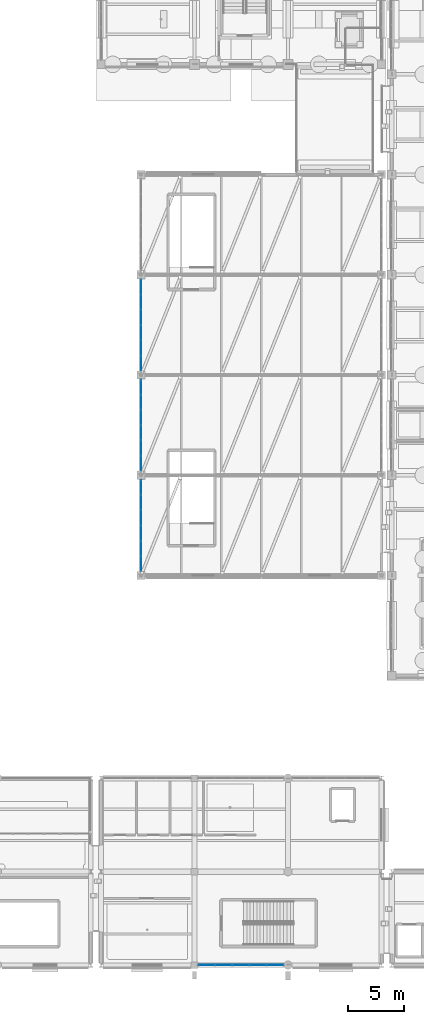
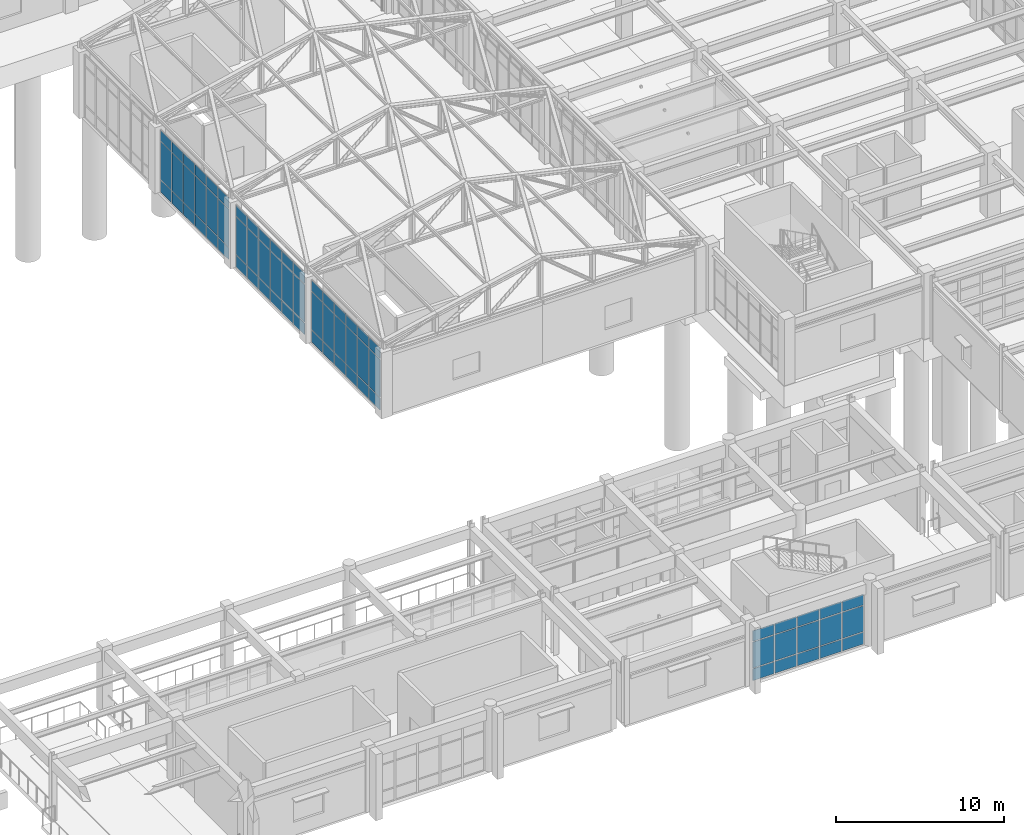
# One storey, part 91 of 139: 69 plates, 4 elements without a shape of their own.
"""IFC4 building model written with IfcOpenShell, lengths in metres."""

from ifc_helpers import new_model, si_unit, direction, frame, origin, origin_2d, place, context, subcontext, project, spatial, rectangle, extrude, material, layer, layer_set, type_object, element, aggregate, save


model = new_model("IFC4")

# Units and contexts
model_context = context("Model", 3, precision=1e-05, world=origin(), true_north=direction((0.0, 1.0)))
body_context = subcontext(model_context, "Body", "Model", "MODEL_VIEW")
ifc_project = project(units=[si_unit("LENGTHUNIT", "METRE"), si_unit("AREAUNIT", "SQUARE_METRE"), si_unit("VOLUMEUNIT", "CUBIC_METRE"), si_unit("PLANEANGLEUNIT", "RADIAN"), si_unit("MASSUNIT", "GRAM", prefix="KILO")], contexts=[model_context])

# Site, building, storey
site_placement = place(None, origin())
site = spatial("IfcSite", under=ifc_project, at=site_placement, CompositionType="ELEMENT")
building_placement = place(site_placement, origin())
building = spatial("IfcBuilding", under=site, at=building_placement, Name="Canglan Escarpment Cableway Terminal", CompositionType="ELEMENT")
storey_placement = place(building_placement, frame((0.0, 0.0, 14.39990234375)))
storey = spatial("IfcBuildingStorey", under=building, at=storey_placement, Name="L03", CompositionType="ELEMENT", Elevation=14.39990234375)

# Curtain wall, plates
ifc_material_1 = material(Name="Anodized bronze aluminium and Low-E double glazing", Category="aluminium")
curtain_wall_type_1 = type_object("IfcCurtainWallType", Name="CW-BAY-8250x4600", PredefinedType="NOTDEFINED", material=ifc_material_1)
curtain_wall_1_placement = place(storey_placement, origin())
curtain_wall_1 = element("IfcCurtainWall", 1, at=curtain_wall_1_placement, inside=storey, type_object=curtain_wall_type_1, Name="Classical bay-between-piers glazed curtain wall CW-46", PredefinedType="NOTDEFINED")
ifc_material_2 = material(Name="Double-silver Low-E laminated insulating glass", Category="glass")
ifc_layer_1 = layer(ifc_material_2, 0.02392578125, Name="Double-silver Low-E laminated insulating glass")
ifc_layer_set_1 = layer_set([ifc_layer_1], Name="Double-silver Low-E laminated insulating glass")
plate_type_1 = type_object("IfcPlateType", Name="CWP-01", PredefinedType="CURTAIN_PANEL", material=ifc_layer_set_1)
plate_1_placement = place(storey_placement, frame((115.10009765625, 68.922607421875, 0.05517578125), z_axis=(0.0, 0.0, 1.0), x_axis=(0.0, -1.0, 0.0)))
plate_1 = element("IfcPlate", 2, at=plate_1_placement, type_object=plate_type_1, Name="CW-46 panel 1.1", PredefinedType="CURTAIN_PANEL", context=body_context, shape_type="SweptSolid", body=[
    extrude(rectangle(XDim=1.284912109375, YDim=0.02392578125, at=origin_2d()), origin(), (0.0, 0.0, 1.0), 0.867431640625),
])
plate_2_placement = place(storey_placement, frame((115.10009765625, 68.922607421875, 0.9775390625), z_axis=(0.0, 0.0, 1.0), x_axis=(0.0, -1.0, 0.0)))
plate_2 = element("IfcPlate", 3, at=plate_2_placement, type_object=plate_type_1, Name="CW-46 panel 1.2", PredefinedType="CURTAIN_PANEL", context=body_context, shape_type="SweptSolid", body=[
    extrude(rectangle(XDim=1.284912109375, YDim=0.02392578125, at=origin_2d()), origin(), (0.0, 0.0, 1.0), 2.7451171875),
])
plate_3_placement = place(storey_placement, frame((115.10009765625, 68.922607421875, 3.777587890625), z_axis=(0.0, 0.0, 1.0), x_axis=(0.0, -1.0, 0.0)))
plate_3 = element("IfcPlate", 4, at=plate_3_placement, type_object=plate_type_1, Name="CW-46 panel 1.3", PredefinedType="CURTAIN_PANEL", context=body_context, shape_type="SweptSolid", body=[
    extrude(rectangle(XDim=1.284912109375, YDim=0.02392578125, at=origin_2d()), origin(), (0.0, 0.0, 1.0), 0.767578125),
])
plate_4_placement = place(storey_placement, frame((115.10009765625, 67.5625, 0.05517578125), z_axis=(0.0, 0.0, 1.0), x_axis=(0.0, -1.0, 0.0)))
plate_4 = element("IfcPlate", 5, at=plate_4_placement, type_object=plate_type_1, Name="CW-46 panel 2.1", PredefinedType="CURTAIN_PANEL", context=body_context, shape_type="SweptSolid", body=[
    extrude(rectangle(XDim=1.31494140625, YDim=0.02392578125, at=origin_2d()), origin(), (0.0, 0.0, 1.0), 0.867431640625),
])
plate_5_placement = place(storey_placement, frame((115.10009765625, 67.5625, 0.9775390625), z_axis=(0.0, 0.0, 1.0), x_axis=(0.0, -1.0, 0.0)))
plate_5 = element("IfcPlate", 6, at=plate_5_placement, type_object=plate_type_1, Name="CW-46 panel 2.2", PredefinedType="CURTAIN_PANEL", context=body_context, shape_type="SweptSolid", body=[
    extrude(rectangle(XDim=1.31494140625, YDim=0.02392578125, at=origin_2d()), origin(), (0.0, 0.0, 1.0), 2.7451171875),
])
plate_6_placement = place(storey_placement, frame((115.10009765625, 67.5625, 3.777587890625), z_axis=(0.0, 0.0, 1.0), x_axis=(0.0, -1.0, 0.0)))
plate_6 = element("IfcPlate", 7, at=plate_6_placement, type_object=plate_type_1, Name="CW-46 panel 2.3", PredefinedType="CURTAIN_PANEL", context=body_context, shape_type="SweptSolid", body=[
    extrude(rectangle(XDim=1.31494140625, YDim=0.02392578125, at=origin_2d()), origin(), (0.0, 0.0, 1.0), 0.767578125),
])
plate_7_placement = place(storey_placement, frame((115.10009765625, 66.1875, 0.05517578125), z_axis=(0.0, 0.0, 1.0), x_axis=(0.0, -1.0, 0.0)))
plate_7 = element("IfcPlate", 8, at=plate_7_placement, type_object=plate_type_1, Name="CW-46 panel 3.1", PredefinedType="CURTAIN_PANEL", context=body_context, shape_type="SweptSolid", body=[
    extrude(rectangle(XDim=1.31494140625, YDim=0.02392578125, at=origin_2d()), origin(), (0.0, 0.0, 1.0), 0.867431640625),
])
plate_8_placement = place(storey_placement, frame((115.10009765625, 66.1875, 0.9775390625), z_axis=(0.0, 0.0, 1.0), x_axis=(0.0, -1.0, 0.0)))
plate_8 = element("IfcPlate", 9, at=plate_8_placement, type_object=plate_type_1, Name="CW-46 panel 3.2", PredefinedType="CURTAIN_PANEL", context=body_context, shape_type="SweptSolid", body=[
    extrude(rectangle(XDim=1.31494140625, YDim=0.02392578125, at=origin_2d()), origin(), (0.0, 0.0, 1.0), 2.7451171875),
])
plate_9_placement = place(storey_placement, frame((115.10009765625, 66.1875, 3.777587890625), z_axis=(0.0, 0.0, 1.0), x_axis=(0.0, -1.0, 0.0)))
plate_9 = element("IfcPlate", 10, at=plate_9_placement, type_object=plate_type_1, Name="CW-46 panel 3.3", PredefinedType="CURTAIN_PANEL", context=body_context, shape_type="SweptSolid", body=[
    extrude(rectangle(XDim=1.31494140625, YDim=0.02392578125, at=origin_2d()), origin(), (0.0, 0.0, 1.0), 0.767578125),
])
plate_10_placement = place(storey_placement, frame((115.10009765625, 64.8125, 0.05517578125), z_axis=(0.0, 0.0, 1.0), x_axis=(0.0, -1.0, 0.0)))
plate_10 = element("IfcPlate", 11, at=plate_10_placement, type_object=plate_type_1, Name="CW-46 panel 4.1", PredefinedType="CURTAIN_PANEL", context=body_context, shape_type="SweptSolid", body=[
    extrude(rectangle(XDim=1.31494140625, YDim=0.02392578125, at=origin_2d()), origin(), (0.0, 0.0, 1.0), 0.867431640625),
])
plate_11_placement = place(storey_placement, frame((115.10009765625, 64.8125, 0.9775390625), z_axis=(0.0, 0.0, 1.0), x_axis=(0.0, -1.0, 0.0)))
plate_11 = element("IfcPlate", 12, at=plate_11_placement, type_object=plate_type_1, Name="CW-46 panel 4.2", PredefinedType="CURTAIN_PANEL", context=body_context, shape_type="SweptSolid", body=[
    extrude(rectangle(XDim=1.31494140625, YDim=0.02392578125, at=origin_2d()), origin(), (0.0, 0.0, 1.0), 2.7451171875),
])
plate_12_placement = place(storey_placement, frame((115.10009765625, 64.8125, 3.777587890625), z_axis=(0.0, 0.0, 1.0), x_axis=(0.0, -1.0, 0.0)))
plate_12 = element("IfcPlate", 13, at=plate_12_placement, type_object=plate_type_1, Name="CW-46 panel 4.3", PredefinedType="CURTAIN_PANEL", context=body_context, shape_type="SweptSolid", body=[
    extrude(rectangle(XDim=1.31494140625, YDim=0.02392578125, at=origin_2d()), origin(), (0.0, 0.0, 1.0), 0.767578125),
])
plate_13_placement = place(storey_placement, frame((115.10009765625, 63.4375, 0.05517578125), z_axis=(0.0, 0.0, 1.0), x_axis=(0.0, -1.0, 0.0)))
plate_13 = element("IfcPlate", 14, at=plate_13_placement, type_object=plate_type_1, Name="CW-46 panel 5.1", PredefinedType="CURTAIN_PANEL", context=body_context, shape_type="SweptSolid", body=[
    extrude(rectangle(XDim=1.31494140625, YDim=0.02392578125, at=origin_2d()), origin(), (0.0, 0.0, 1.0), 0.867431640625),
])
plate_14_placement = place(storey_placement, frame((115.10009765625, 63.4375, 0.9775390625), z_axis=(0.0, 0.0, 1.0), x_axis=(0.0, -1.0, 0.0)))
plate_14 = element("IfcPlate", 15, at=plate_14_placement, type_object=plate_type_1, Name="CW-46 panel 5.2", PredefinedType="CURTAIN_PANEL", context=body_context, shape_type="SweptSolid", body=[
    extrude(rectangle(XDim=1.31494140625, YDim=0.02392578125, at=origin_2d()), origin(), (0.0, 0.0, 1.0), 2.7451171875),
])
plate_15_placement = place(storey_placement, frame((115.10009765625, 63.4375, 3.777587890625), z_axis=(0.0, 0.0, 1.0), x_axis=(0.0, -1.0, 0.0)))
plate_15 = element("IfcPlate", 16, at=plate_15_placement, type_object=plate_type_1, Name="CW-46 panel 5.3", PredefinedType="CURTAIN_PANEL", context=body_context, shape_type="SweptSolid", body=[
    extrude(rectangle(XDim=1.31494140625, YDim=0.02392578125, at=origin_2d()), origin(), (0.0, 0.0, 1.0), 0.767578125),
])
plate_16_placement = place(storey_placement, frame((115.10009765625, 62.077392578125, 0.05517578125), z_axis=(0.0, 0.0, 1.0), x_axis=(0.0, -1.0, 0.0)))
plate_16 = element("IfcPlate", 17, at=plate_16_placement, type_object=plate_type_1, Name="CW-46 panel 6.1", PredefinedType="CURTAIN_PANEL", context=body_context, shape_type="SweptSolid", body=[
    extrude(rectangle(XDim=1.284912109375, YDim=0.02392578125, at=origin_2d()), origin(), (0.0, 0.0, 1.0), 0.867431640625),
])
plate_17_placement = place(storey_placement, frame((115.10009765625, 62.077392578125, 0.9775390625), z_axis=(0.0, 0.0, 1.0), x_axis=(0.0, -1.0, 0.0)))
plate_17 = element("IfcPlate", 18, at=plate_17_placement, type_object=plate_type_1, Name="CW-46 panel 6.2", PredefinedType="CURTAIN_PANEL", context=body_context, shape_type="SweptSolid", body=[
    extrude(rectangle(XDim=1.284912109375, YDim=0.02392578125, at=origin_2d()), origin(), (0.0, 0.0, 1.0), 2.7451171875),
])
plate_18_placement = place(storey_placement, frame((115.10009765625, 62.077392578125, 3.777587890625), z_axis=(0.0, 0.0, 1.0), x_axis=(0.0, -1.0, 0.0)))
plate_18 = element("IfcPlate", 19, at=plate_18_placement, type_object=plate_type_1, Name="CW-46 panel 6.3", PredefinedType="CURTAIN_PANEL", context=body_context, shape_type="SweptSolid", body=[
    extrude(rectangle(XDim=1.284912109375, YDim=0.02392578125, at=origin_2d()), origin(), (0.0, 0.0, 1.0), 0.767578125),
])
aggregate(curtain_wall_1, [plate_1, plate_2, plate_3, plate_4, plate_5, plate_6, plate_7, plate_8, plate_9, plate_10, plate_11, plate_12, plate_13, plate_14, plate_15, plate_16, plate_17, plate_18])

curtain_wall_2_placement = place(storey_placement, origin())
curtain_wall_2 = element("IfcCurtainWall", 20, at=curtain_wall_2_placement, inside=storey, type_object=curtain_wall_type_1, Name="Classical bay-between-piers glazed curtain wall CW-46", PredefinedType="NOTDEFINED")
ifc_layer_2 = layer(ifc_material_2, 0.031982421875, Name="Double-silver Low-E laminated insulating glass")
ifc_layer_set_2 = layer_set([ifc_layer_2], Name="Double-silver Low-E laminated insulating glass")
plate_type_2 = type_object("IfcPlateType", Name="CWP-03", PredefinedType="CURTAIN_PANEL", material=ifc_layer_set_2)
plate_19_placement = place(storey_placement, frame((115.10009765625, 50.921142578125, 0.06005859375), z_axis=(0.0, 0.0, 1.0), x_axis=(0.0, -1.0, 0.0)))
plate_19 = element("IfcPlate", 21, at=plate_19_placement, type_object=plate_type_2, Name="CW-46 panel 1.1", PredefinedType="CURTAIN_PANEL", context=body_context, shape_type="SweptSolid", body=[
    extrude(rectangle(XDim=1.277587890625, YDim=0.031982421875, at=origin_2d()), origin(), (0.0, 0.0, 1.0), 0.860107421875),
])
plate_20_placement = place(storey_placement, frame((115.10009765625, 50.921142578125, 0.97998046875), z_axis=(0.0, 0.0, 1.0), x_axis=(0.0, -1.0, 0.0)))
plate_20 = element("IfcPlate", 22, at=plate_20_placement, type_object=plate_type_2, Name="CW-46 panel 1.2", PredefinedType="CURTAIN_PANEL", context=body_context, shape_type="SweptSolid", body=[
    extrude(rectangle(XDim=1.277587890625, YDim=0.031982421875, at=origin_2d()), origin(), (0.0, 0.0, 1.0), 2.739990234375),
])
plate_21_placement = place(storey_placement, frame((115.10009765625, 50.921142578125, 3.7802734375), z_axis=(0.0, 0.0, 1.0), x_axis=(0.0, -1.0, 0.0)))
plate_21 = element("IfcPlate", 23, at=plate_21_placement, type_object=plate_type_2, Name="CW-46 panel 1.3", PredefinedType="CURTAIN_PANEL", context=body_context, shape_type="SweptSolid", body=[
    extrude(rectangle(XDim=1.277587890625, YDim=0.031982421875, at=origin_2d()), origin(), (0.0, 0.0, 1.0), 0.760009765625),
])
plate_22_placement = place(storey_placement, frame((115.10009765625, 49.5625, 0.06005859375), z_axis=(0.0, 0.0, 1.0), x_axis=(0.0, -1.0, 0.0)))
plate_22 = element("IfcPlate", 24, at=plate_22_placement, type_object=plate_type_2, Name="CW-46 panel 2.1", PredefinedType="CURTAIN_PANEL", context=body_context, shape_type="SweptSolid", body=[
    extrude(rectangle(XDim=1.31005859375, YDim=0.031982421875, at=origin_2d()), origin(), (0.0, 0.0, 1.0), 0.860107421875),
])
plate_23_placement = place(storey_placement, frame((115.10009765625, 49.5625, 0.97998046875), z_axis=(0.0, 0.0, 1.0), x_axis=(0.0, -1.0, 0.0)))
plate_23 = element("IfcPlate", 25, at=plate_23_placement, type_object=plate_type_2, Name="CW-46 panel 2.2", PredefinedType="CURTAIN_PANEL", context=body_context, shape_type="SweptSolid", body=[
    extrude(rectangle(XDim=1.31005859375, YDim=0.031982421875, at=origin_2d()), origin(), (0.0, 0.0, 1.0), 2.739990234375),
])
plate_24_placement = place(storey_placement, frame((115.10009765625, 49.5625, 3.7802734375), z_axis=(0.0, 0.0, 1.0), x_axis=(0.0, -1.0, 0.0)))
plate_24 = element("IfcPlate", 26, at=plate_24_placement, type_object=plate_type_2, Name="CW-46 panel 2.3", PredefinedType="CURTAIN_PANEL", context=body_context, shape_type="SweptSolid", body=[
    extrude(rectangle(XDim=1.31005859375, YDim=0.031982421875, at=origin_2d()), origin(), (0.0, 0.0, 1.0), 0.760009765625),
])
plate_25_placement = place(storey_placement, frame((115.10009765625, 48.1875, 0.06005859375), z_axis=(0.0, 0.0, 1.0), x_axis=(0.0, -1.0, 0.0)))
plate_25 = element("IfcPlate", 27, at=plate_25_placement, type_object=plate_type_2, Name="CW-46 panel 3.1", PredefinedType="CURTAIN_PANEL", context=body_context, shape_type="SweptSolid", body=[
    extrude(rectangle(XDim=1.31005859375, YDim=0.031982421875, at=origin_2d()), origin(), (0.0, 0.0, 1.0), 0.860107421875),
])
plate_26_placement = place(storey_placement, frame((115.10009765625, 48.1875, 0.97998046875), z_axis=(0.0, 0.0, 1.0), x_axis=(0.0, -1.0, 0.0)))
plate_26 = element("IfcPlate", 28, at=plate_26_placement, type_object=plate_type_2, Name="CW-46 panel 3.2", PredefinedType="CURTAIN_PANEL", context=body_context, shape_type="SweptSolid", body=[
    extrude(rectangle(XDim=1.31005859375, YDim=0.031982421875, at=origin_2d()), origin(), (0.0, 0.0, 1.0), 2.739990234375),
])
plate_27_placement = place(storey_placement, frame((115.10009765625, 48.1875, 3.7802734375), z_axis=(0.0, 0.0, 1.0), x_axis=(0.0, -1.0, 0.0)))
plate_27 = element("IfcPlate", 29, at=plate_27_placement, type_object=plate_type_2, Name="CW-46 panel 3.3", PredefinedType="CURTAIN_PANEL", context=body_context, shape_type="SweptSolid", body=[
    extrude(rectangle(XDim=1.31005859375, YDim=0.031982421875, at=origin_2d()), origin(), (0.0, 0.0, 1.0), 0.760009765625),
])
plate_28_placement = place(storey_placement, frame((115.10009765625, 46.8125, 0.06005859375), z_axis=(0.0, 0.0, 1.0), x_axis=(0.0, -1.0, 0.0)))
plate_28 = element("IfcPlate", 30, at=plate_28_placement, type_object=plate_type_2, Name="CW-46 panel 4.1", PredefinedType="CURTAIN_PANEL", context=body_context, shape_type="SweptSolid", body=[
    extrude(rectangle(XDim=1.31005859375, YDim=0.031982421875, at=origin_2d()), origin(), (0.0, 0.0, 1.0), 0.860107421875),
])
plate_29_placement = place(storey_placement, frame((115.10009765625, 46.8125, 0.97998046875), z_axis=(0.0, 0.0, 1.0), x_axis=(0.0, -1.0, 0.0)))
plate_29 = element("IfcPlate", 31, at=plate_29_placement, type_object=plate_type_2, Name="CW-46 panel 4.2", PredefinedType="CURTAIN_PANEL", context=body_context, shape_type="SweptSolid", body=[
    extrude(rectangle(XDim=1.31005859375, YDim=0.031982421875, at=origin_2d()), origin(), (0.0, 0.0, 1.0), 2.739990234375),
])
plate_30_placement = place(storey_placement, frame((115.10009765625, 46.8125, 3.7802734375), z_axis=(0.0, 0.0, 1.0), x_axis=(0.0, -1.0, 0.0)))
plate_30 = element("IfcPlate", 32, at=plate_30_placement, type_object=plate_type_2, Name="CW-46 panel 4.3", PredefinedType="CURTAIN_PANEL", context=body_context, shape_type="SweptSolid", body=[
    extrude(rectangle(XDim=1.31005859375, YDim=0.031982421875, at=origin_2d()), origin(), (0.0, 0.0, 1.0), 0.760009765625),
])
plate_31_placement = place(storey_placement, frame((115.10009765625, 45.4375, 0.06005859375), z_axis=(0.0, 0.0, 1.0), x_axis=(0.0, -1.0, 0.0)))
plate_31 = element("IfcPlate", 33, at=plate_31_placement, type_object=plate_type_2, Name="CW-46 panel 5.1", PredefinedType="CURTAIN_PANEL", context=body_context, shape_type="SweptSolid", body=[
    extrude(rectangle(XDim=1.31005859375, YDim=0.031982421875, at=origin_2d()), origin(), (0.0, 0.0, 1.0), 0.860107421875),
])
plate_32_placement = place(storey_placement, frame((115.10009765625, 45.4375, 0.97998046875), z_axis=(0.0, 0.0, 1.0), x_axis=(0.0, -1.0, 0.0)))
plate_32 = element("IfcPlate", 34, at=plate_32_placement, type_object=plate_type_2, Name="CW-46 panel 5.2", PredefinedType="CURTAIN_PANEL", context=body_context, shape_type="SweptSolid", body=[
    extrude(rectangle(XDim=1.31005859375, YDim=0.031982421875, at=origin_2d()), origin(), (0.0, 0.0, 1.0), 2.739990234375),
])
plate_33_placement = place(storey_placement, frame((115.10009765625, 45.4375, 3.7802734375), z_axis=(0.0, 0.0, 1.0), x_axis=(0.0, -1.0, 0.0)))
plate_33 = element("IfcPlate", 35, at=plate_33_placement, type_object=plate_type_2, Name="CW-46 panel 5.3", PredefinedType="CURTAIN_PANEL", context=body_context, shape_type="SweptSolid", body=[
    extrude(rectangle(XDim=1.31005859375, YDim=0.031982421875, at=origin_2d()), origin(), (0.0, 0.0, 1.0), 0.760009765625),
])
plate_34_placement = place(storey_placement, frame((115.10009765625, 44.078857421875, 0.06005859375), z_axis=(0.0, 0.0, 1.0), x_axis=(0.0, -1.0, 0.0)))
plate_34 = element("IfcPlate", 36, at=plate_34_placement, type_object=plate_type_2, Name="CW-46 panel 6.1", PredefinedType="CURTAIN_PANEL", context=body_context, shape_type="SweptSolid", body=[
    extrude(rectangle(XDim=1.277587890625, YDim=0.031982421875, at=origin_2d()), origin(), (0.0, 0.0, 1.0), 0.860107421875),
])
plate_35_placement = place(storey_placement, frame((115.10009765625, 44.078857421875, 0.97998046875), z_axis=(0.0, 0.0, 1.0), x_axis=(0.0, -1.0, 0.0)))
plate_35 = element("IfcPlate", 37, at=plate_35_placement, type_object=plate_type_2, Name="CW-46 panel 6.2", PredefinedType="CURTAIN_PANEL", context=body_context, shape_type="SweptSolid", body=[
    extrude(rectangle(XDim=1.277587890625, YDim=0.031982421875, at=origin_2d()), origin(), (0.0, 0.0, 1.0), 2.739990234375),
])
plate_36_placement = place(storey_placement, frame((115.10009765625, 44.078857421875, 3.7802734375), z_axis=(0.0, 0.0, 1.0), x_axis=(0.0, -1.0, 0.0)))
plate_36 = element("IfcPlate", 38, at=plate_36_placement, type_object=plate_type_2, Name="CW-46 panel 6.3", PredefinedType="CURTAIN_PANEL", context=body_context, shape_type="SweptSolid", body=[
    extrude(rectangle(XDim=1.277587890625, YDim=0.031982421875, at=origin_2d()), origin(), (0.0, 0.0, 1.0), 0.760009765625),
])
aggregate(curtain_wall_2, [plate_19, plate_20, plate_21, plate_22, plate_23, plate_24, plate_25, plate_26, plate_27, plate_28, plate_29, plate_30, plate_31, plate_32, plate_33, plate_34, plate_35, plate_36])

curtain_wall_type_2 = type_object("IfcCurtainWallType", Name="CW-BAY-7725x3725", PredefinedType="NOTDEFINED", material=ifc_material_1)
curtain_wall_3_placement = place(storey_placement, origin())
curtain_wall_3 = element("IfcCurtainWall", 39, at=curtain_wall_3_placement, inside=storey, type_object=curtain_wall_type_2, Name="Classical bay-between-piers glazed curtain wall CW-13", PredefinedType="NOTDEFINED")
ifc_layer_3 = layer(ifc_material_2, 0.035888671875, Name="Double-silver Low-E laminated insulating glass")
ifc_layer_set_3 = layer_set([ifc_layer_3], Name="Double-silver Low-E laminated insulating glass")
plate_type_3 = type_object("IfcPlateType", Name="CWP-04", PredefinedType="CURTAIN_PANEL", material=ifc_layer_set_3)
plate_37_placement = place(storey_placement, frame((120.98876953125, 8.0, 0.06005859375), z_axis=(0.0, 0.0, 1.0), x_axis=(1.0, 0.0, 0.0)))
plate_37 = element("IfcPlate", 40, at=plate_37_placement, type_object=plate_type_3, Name="CW-13 panel 1.1", PredefinedType="CURTAIN_PANEL", context=body_context, shape_type="SweptSolid", body=[
    extrude(rectangle(XDim=1.447509765625, YDim=0.035888671875, at=origin_2d()), origin(), (0.0, 0.0, 1.0), 0.860107421875),
])
plate_38_placement = place(storey_placement, frame((120.98876953125, 8.0, 0.97998046875), z_axis=(0.0, 0.0, 1.0), x_axis=(1.0, 0.0, 0.0)))
plate_38 = element("IfcPlate", 41, at=plate_38_placement, type_object=plate_type_3, Name="CW-13 panel 1.2", PredefinedType="CURTAIN_PANEL", context=body_context, shape_type="SweptSolid", body=[
    extrude(rectangle(XDim=1.447509765625, YDim=0.035888671875, at=origin_2d()), origin(), (0.0, 0.0, 1.0), 1.875),
])
plate_39_placement = place(storey_placement, frame((120.98876953125, 8.0, 2.9150390625), z_axis=(0.0, 0.0, 1.0), x_axis=(1.0, 0.0, 0.0)))
plate_39 = element("IfcPlate", 42, at=plate_39_placement, type_object=plate_type_3, Name="CW-13 panel 1.3", PredefinedType="CURTAIN_PANEL", context=body_context, shape_type="SweptSolid", body=[
    extrude(rectangle(XDim=1.447509765625, YDim=0.035888671875, at=origin_2d()), origin(), (0.0, 0.0, 1.0), 0.760009765625),
])
plate_40_placement = place(storey_placement, frame((122.517578125, 8.0, 0.06005859375), z_axis=(0.0, 0.0, 1.0), x_axis=(1.0, 0.0, 0.0)))
plate_40 = element("IfcPlate", 43, at=plate_40_placement, type_object=plate_type_3, Name="CW-13 panel 2.1", PredefinedType="CURTAIN_PANEL", context=body_context, shape_type="SweptSolid", body=[
    extrude(rectangle(XDim=1.47998046875, YDim=0.035888671875, at=origin_2d()), origin(), (0.0, 0.0, 1.0), 0.860107421875),
])
plate_41_placement = place(storey_placement, frame((122.517578125, 8.0, 0.97998046875), z_axis=(0.0, 0.0, 1.0), x_axis=(1.0, 0.0, 0.0)))
plate_41 = element("IfcPlate", 44, at=plate_41_placement, type_object=plate_type_3, Name="CW-13 panel 2.2", PredefinedType="CURTAIN_PANEL", context=body_context, shape_type="SweptSolid", body=[
    extrude(rectangle(XDim=1.47998046875, YDim=0.035888671875, at=origin_2d()), origin(), (0.0, 0.0, 1.0), 1.875),
])
plate_42_placement = place(storey_placement, frame((122.517578125, 8.0, 2.9150390625), z_axis=(0.0, 0.0, 1.0), x_axis=(1.0, 0.0, 0.0)))
plate_42 = element("IfcPlate", 45, at=plate_42_placement, type_object=plate_type_3, Name="CW-13 panel 2.3", PredefinedType="CURTAIN_PANEL", context=body_context, shape_type="SweptSolid", body=[
    extrude(rectangle(XDim=1.47998046875, YDim=0.035888671875, at=origin_2d()), origin(), (0.0, 0.0, 1.0), 0.760009765625),
])
plate_43_placement = place(storey_placement, frame((124.0625, 8.0, 0.06005859375), z_axis=(0.0, 0.0, 1.0), x_axis=(1.0, 0.0, 0.0)))
plate_43 = element("IfcPlate", 46, at=plate_43_placement, type_object=plate_type_3, Name="CW-13 panel 3.1", PredefinedType="CURTAIN_PANEL", context=body_context, shape_type="SweptSolid", body=[
    extrude(rectangle(XDim=1.47998046875, YDim=0.035888671875, at=origin_2d()), origin(), (0.0, 0.0, 1.0), 0.860107421875),
])
plate_44_placement = place(storey_placement, frame((124.0625, 8.0, 0.97998046875), z_axis=(0.0, 0.0, 1.0), x_axis=(1.0, 0.0, 0.0)))
plate_44 = element("IfcPlate", 47, at=plate_44_placement, type_object=plate_type_3, Name="CW-13 panel 3.2", PredefinedType="CURTAIN_PANEL", context=body_context, shape_type="SweptSolid", body=[
    extrude(rectangle(XDim=1.47998046875, YDim=0.035888671875, at=origin_2d()), origin(), (0.0, 0.0, 1.0), 1.875),
])
plate_45_placement = place(storey_placement, frame((124.0625, 8.0, 2.9150390625), z_axis=(0.0, 0.0, 1.0), x_axis=(1.0, 0.0, 0.0)))
plate_45 = element("IfcPlate", 48, at=plate_45_placement, type_object=plate_type_3, Name="CW-13 panel 3.3", PredefinedType="CURTAIN_PANEL", context=body_context, shape_type="SweptSolid", body=[
    extrude(rectangle(XDim=1.47998046875, YDim=0.035888671875, at=origin_2d()), origin(), (0.0, 0.0, 1.0), 0.760009765625),
])
plate_46_placement = place(storey_placement, frame((125.607421875, 8.0, 0.06005859375), z_axis=(0.0, 0.0, 1.0), x_axis=(1.0, 0.0, 0.0)))
plate_46 = element("IfcPlate", 49, at=plate_46_placement, type_object=plate_type_3, Name="CW-13 panel 4.1", PredefinedType="CURTAIN_PANEL", context=body_context, shape_type="SweptSolid", body=[
    extrude(rectangle(XDim=1.47998046875, YDim=0.035888671875, at=origin_2d()), origin(), (0.0, 0.0, 1.0), 0.860107421875),
])
plate_47_placement = place(storey_placement, frame((125.607421875, 8.0, 0.97998046875), z_axis=(0.0, 0.0, 1.0), x_axis=(1.0, 0.0, 0.0)))
plate_47 = element("IfcPlate", 50, at=plate_47_placement, type_object=plate_type_3, Name="CW-13 panel 4.2", PredefinedType="CURTAIN_PANEL", context=body_context, shape_type="SweptSolid", body=[
    extrude(rectangle(XDim=1.47998046875, YDim=0.035888671875, at=origin_2d()), origin(), (0.0, 0.0, 1.0), 1.875),
])
plate_48_placement = place(storey_placement, frame((125.607421875, 8.0, 2.9150390625), z_axis=(0.0, 0.0, 1.0), x_axis=(1.0, 0.0, 0.0)))
plate_48 = element("IfcPlate", 51, at=plate_48_placement, type_object=plate_type_3, Name="CW-13 panel 4.3", PredefinedType="CURTAIN_PANEL", context=body_context, shape_type="SweptSolid", body=[
    extrude(rectangle(XDim=1.47998046875, YDim=0.035888671875, at=origin_2d()), origin(), (0.0, 0.0, 1.0), 0.760009765625),
])
plate_49_placement = place(storey_placement, frame((127.13623046875, 8.0, 0.06005859375), z_axis=(0.0, 0.0, 1.0), x_axis=(1.0, 0.0, 0.0)))
plate_49 = element("IfcPlate", 52, at=plate_49_placement, type_object=plate_type_3, Name="CW-13 panel 5.1", PredefinedType="CURTAIN_PANEL", context=body_context, shape_type="SweptSolid", body=[
    extrude(rectangle(XDim=1.447509765625, YDim=0.035888671875, at=origin_2d()), origin(), (0.0, 0.0, 1.0), 0.860107421875),
])
plate_50_placement = place(storey_placement, frame((127.13623046875, 8.0, 0.97998046875), z_axis=(0.0, 0.0, 1.0), x_axis=(1.0, 0.0, 0.0)))
plate_50 = element("IfcPlate", 53, at=plate_50_placement, type_object=plate_type_3, Name="CW-13 panel 5.2", PredefinedType="CURTAIN_PANEL", context=body_context, shape_type="SweptSolid", body=[
    extrude(rectangle(XDim=1.447509765625, YDim=0.035888671875, at=origin_2d()), origin(), (0.0, 0.0, 1.0), 1.875),
])
plate_51_placement = place(storey_placement, frame((127.13623046875, 8.0, 2.9150390625), z_axis=(0.0, 0.0, 1.0), x_axis=(1.0, 0.0, 0.0)))
plate_51 = element("IfcPlate", 54, at=plate_51_placement, type_object=plate_type_3, Name="CW-13 panel 5.3", PredefinedType="CURTAIN_PANEL", context=body_context, shape_type="SweptSolid", body=[
    extrude(rectangle(XDim=1.447509765625, YDim=0.035888671875, at=origin_2d()), origin(), (0.0, 0.0, 1.0), 0.760009765625),
])
aggregate(curtain_wall_3, [plate_37, plate_38, plate_39, plate_40, plate_41, plate_42, plate_43, plate_44, plate_45, plate_46, plate_47, plate_48, plate_49, plate_50, plate_51])

curtain_wall_4_placement = place(storey_placement, origin())
curtain_wall_4 = element("IfcCurtainWall", 55, at=curtain_wall_4_placement, inside=storey, type_object=curtain_wall_type_1, Name="Classical bay-between-piers glazed curtain wall CW-46", PredefinedType="NOTDEFINED")
plate_52_placement = place(storey_placement, frame((115.10009765625, 59.921142578125, 0.065185546875), z_axis=(0.0, 0.0, 1.0), x_axis=(0.0, -1.0, 0.0)))
plate_52 = element("IfcPlate", 56, at=plate_52_placement, type_object=plate_type_3, Name="CW-46 panel 1.1", PredefinedType="CURTAIN_PANEL", context=body_context, shape_type="SweptSolid", body=[
    extrude(rectangle(XDim=1.277587890625, YDim=0.035888671875, at=origin_2d()), origin(), (0.0, 0.0, 1.0), 0.8525390625),
])
plate_53_placement = place(storey_placement, frame((115.10009765625, 59.921142578125, 0.982421875), z_axis=(0.0, 0.0, 1.0), x_axis=(0.0, -1.0, 0.0)))
plate_53 = element("IfcPlate", 57, at=plate_53_placement, type_object=plate_type_3, Name="CW-46 panel 1.2", PredefinedType="CURTAIN_PANEL", context=body_context, shape_type="SweptSolid", body=[
    extrude(rectangle(XDim=1.277587890625, YDim=0.035888671875, at=origin_2d()), origin(), (0.0, 0.0, 1.0), 2.735107421875),
])
plate_54_placement = place(storey_placement, frame((115.10009765625, 59.921142578125, 3.78271484375), z_axis=(0.0, 0.0, 1.0), x_axis=(0.0, -1.0, 0.0)))
plate_54 = element("IfcPlate", 58, at=plate_54_placement, type_object=plate_type_3, Name="CW-46 panel 1.3", PredefinedType="CURTAIN_PANEL", context=body_context, shape_type="SweptSolid", body=[
    extrude(rectangle(XDim=1.277587890625, YDim=0.035888671875, at=origin_2d()), origin(), (0.0, 0.0, 1.0), 0.75244140625),
])
plate_55_placement = place(storey_placement, frame((115.10009765625, 58.5625, 0.065185546875), z_axis=(0.0, 0.0, 1.0), x_axis=(0.0, -1.0, 0.0)))
plate_55 = element("IfcPlate", 59, at=plate_55_placement, type_object=plate_type_3, Name="CW-46 panel 2.1", PredefinedType="CURTAIN_PANEL", context=body_context, shape_type="SweptSolid", body=[
    extrude(rectangle(XDim=1.31005859375, YDim=0.035888671875, at=origin_2d()), origin(), (0.0, 0.0, 1.0), 0.8525390625),
])
plate_56_placement = place(storey_placement, frame((115.10009765625, 58.5625, 0.982421875), z_axis=(0.0, 0.0, 1.0), x_axis=(0.0, -1.0, 0.0)))
plate_56 = element("IfcPlate", 60, at=plate_56_placement, type_object=plate_type_3, Name="CW-46 panel 2.2", PredefinedType="CURTAIN_PANEL", context=body_context, shape_type="SweptSolid", body=[
    extrude(rectangle(XDim=1.31005859375, YDim=0.035888671875, at=origin_2d()), origin(), (0.0, 0.0, 1.0), 2.735107421875),
])
plate_57_placement = place(storey_placement, frame((115.10009765625, 58.5625, 3.78271484375), z_axis=(0.0, 0.0, 1.0), x_axis=(0.0, -1.0, 0.0)))
plate_57 = element("IfcPlate", 61, at=plate_57_placement, type_object=plate_type_3, Name="CW-46 panel 2.3", PredefinedType="CURTAIN_PANEL", context=body_context, shape_type="SweptSolid", body=[
    extrude(rectangle(XDim=1.31005859375, YDim=0.035888671875, at=origin_2d()), origin(), (0.0, 0.0, 1.0), 0.75244140625),
])
plate_58_placement = place(storey_placement, frame((115.10009765625, 57.1875, 0.065185546875), z_axis=(0.0, 0.0, 1.0), x_axis=(0.0, -1.0, 0.0)))
plate_58 = element("IfcPlate", 62, at=plate_58_placement, type_object=plate_type_3, Name="CW-46 panel 3.1", PredefinedType="CURTAIN_PANEL", context=body_context, shape_type="SweptSolid", body=[
    extrude(rectangle(XDim=1.31005859375, YDim=0.035888671875, at=origin_2d()), origin(), (0.0, 0.0, 1.0), 0.8525390625),
])
plate_59_placement = place(storey_placement, frame((115.10009765625, 57.1875, 0.982421875), z_axis=(0.0, 0.0, 1.0), x_axis=(0.0, -1.0, 0.0)))
plate_59 = element("IfcPlate", 63, at=plate_59_placement, type_object=plate_type_3, Name="CW-46 panel 3.2", PredefinedType="CURTAIN_PANEL", context=body_context, shape_type="SweptSolid", body=[
    extrude(rectangle(XDim=1.31005859375, YDim=0.035888671875, at=origin_2d()), origin(), (0.0, 0.0, 1.0), 2.735107421875),
])
plate_60_placement = place(storey_placement, frame((115.10009765625, 57.1875, 3.78271484375), z_axis=(0.0, 0.0, 1.0), x_axis=(0.0, -1.0, 0.0)))
plate_60 = element("IfcPlate", 64, at=plate_60_placement, type_object=plate_type_3, Name="CW-46 panel 3.3", PredefinedType="CURTAIN_PANEL", context=body_context, shape_type="SweptSolid", body=[
    extrude(rectangle(XDim=1.31005859375, YDim=0.035888671875, at=origin_2d()), origin(), (0.0, 0.0, 1.0), 0.75244140625),
])
plate_61_placement = place(storey_placement, frame((115.10009765625, 55.8125, 0.065185546875), z_axis=(0.0, 0.0, 1.0), x_axis=(0.0, -1.0, 0.0)))
plate_61 = element("IfcPlate", 65, at=plate_61_placement, type_object=plate_type_3, Name="CW-46 panel 4.1", PredefinedType="CURTAIN_PANEL", context=body_context, shape_type="SweptSolid", body=[
    extrude(rectangle(XDim=1.31005859375, YDim=0.035888671875, at=origin_2d()), origin(), (0.0, 0.0, 1.0), 0.8525390625),
])
plate_62_placement = place(storey_placement, frame((115.10009765625, 55.8125, 0.982421875), z_axis=(0.0, 0.0, 1.0), x_axis=(0.0, -1.0, 0.0)))
plate_62 = element("IfcPlate", 66, at=plate_62_placement, type_object=plate_type_3, Name="CW-46 panel 4.2", PredefinedType="CURTAIN_PANEL", context=body_context, shape_type="SweptSolid", body=[
    extrude(rectangle(XDim=1.31005859375, YDim=0.035888671875, at=origin_2d()), origin(), (0.0, 0.0, 1.0), 2.735107421875),
])
plate_63_placement = place(storey_placement, frame((115.10009765625, 55.8125, 3.78271484375), z_axis=(0.0, 0.0, 1.0), x_axis=(0.0, -1.0, 0.0)))
plate_63 = element("IfcPlate", 67, at=plate_63_placement, type_object=plate_type_3, Name="CW-46 panel 4.3", PredefinedType="CURTAIN_PANEL", context=body_context, shape_type="SweptSolid", body=[
    extrude(rectangle(XDim=1.31005859375, YDim=0.035888671875, at=origin_2d()), origin(), (0.0, 0.0, 1.0), 0.75244140625),
])
plate_64_placement = place(storey_placement, frame((115.10009765625, 54.4375, 0.065185546875), z_axis=(0.0, 0.0, 1.0), x_axis=(0.0, -1.0, 0.0)))
plate_64 = element("IfcPlate", 68, at=plate_64_placement, type_object=plate_type_3, Name="CW-46 panel 5.1", PredefinedType="CURTAIN_PANEL", context=body_context, shape_type="SweptSolid", body=[
    extrude(rectangle(XDim=1.31005859375, YDim=0.035888671875, at=origin_2d()), origin(), (0.0, 0.0, 1.0), 0.8525390625),
])
plate_65_placement = place(storey_placement, frame((115.10009765625, 54.4375, 0.982421875), z_axis=(0.0, 0.0, 1.0), x_axis=(0.0, -1.0, 0.0)))
plate_65 = element("IfcPlate", 69, at=plate_65_placement, type_object=plate_type_3, Name="CW-46 panel 5.2", PredefinedType="CURTAIN_PANEL", context=body_context, shape_type="SweptSolid", body=[
    extrude(rectangle(XDim=1.31005859375, YDim=0.035888671875, at=origin_2d()), origin(), (0.0, 0.0, 1.0), 2.735107421875),
])
plate_66_placement = place(storey_placement, frame((115.10009765625, 54.4375, 3.78271484375), z_axis=(0.0, 0.0, 1.0), x_axis=(0.0, -1.0, 0.0)))
plate_66 = element("IfcPlate", 70, at=plate_66_placement, type_object=plate_type_3, Name="CW-46 panel 5.3", PredefinedType="CURTAIN_PANEL", context=body_context, shape_type="SweptSolid", body=[
    extrude(rectangle(XDim=1.31005859375, YDim=0.035888671875, at=origin_2d()), origin(), (0.0, 0.0, 1.0), 0.75244140625),
])
plate_67_placement = place(storey_placement, frame((115.10009765625, 53.078857421875, 0.065185546875), z_axis=(0.0, 0.0, 1.0), x_axis=(0.0, -1.0, 0.0)))
plate_67 = element("IfcPlate", 71, at=plate_67_placement, type_object=plate_type_3, Name="CW-46 panel 6.1", PredefinedType="CURTAIN_PANEL", context=body_context, shape_type="SweptSolid", body=[
    extrude(rectangle(XDim=1.277587890625, YDim=0.035888671875, at=origin_2d()), origin(), (0.0, 0.0, 1.0), 0.8525390625),
])
plate_68_placement = place(storey_placement, frame((115.10009765625, 53.078857421875, 0.982421875), z_axis=(0.0, 0.0, 1.0), x_axis=(0.0, -1.0, 0.0)))
plate_68 = element("IfcPlate", 72, at=plate_68_placement, type_object=plate_type_3, Name="CW-46 panel 6.2", PredefinedType="CURTAIN_PANEL", context=body_context, shape_type="SweptSolid", body=[
    extrude(rectangle(XDim=1.277587890625, YDim=0.035888671875, at=origin_2d()), origin(), (0.0, 0.0, 1.0), 2.735107421875),
])
plate_69_placement = place(storey_placement, frame((115.10009765625, 53.078857421875, 3.78271484375), z_axis=(0.0, 0.0, 1.0), x_axis=(0.0, -1.0, 0.0)))
plate_69 = element("IfcPlate", 73, at=plate_69_placement, type_object=plate_type_3, Name="CW-46 panel 6.3", PredefinedType="CURTAIN_PANEL", context=body_context, shape_type="SweptSolid", body=[
    extrude(rectangle(XDim=1.277587890625, YDim=0.035888671875, at=origin_2d()), origin(), (0.0, 0.0, 1.0), 0.75244140625),
])
aggregate(curtain_wall_4, [plate_52, plate_53, plate_54, plate_55, plate_56, plate_57, plate_58, plate_59, plate_60, plate_61, plate_62, plate_63, plate_64, plate_65, plate_66, plate_67, plate_68, plate_69])

save(model, "model.ifc")
